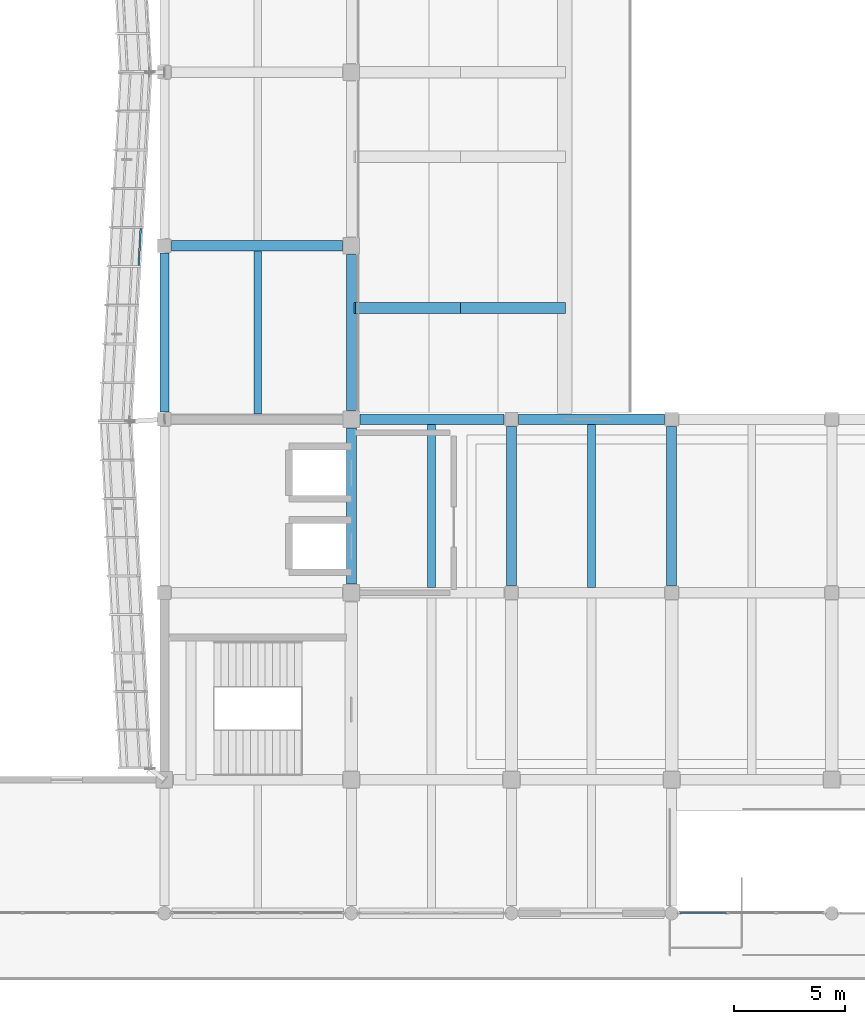
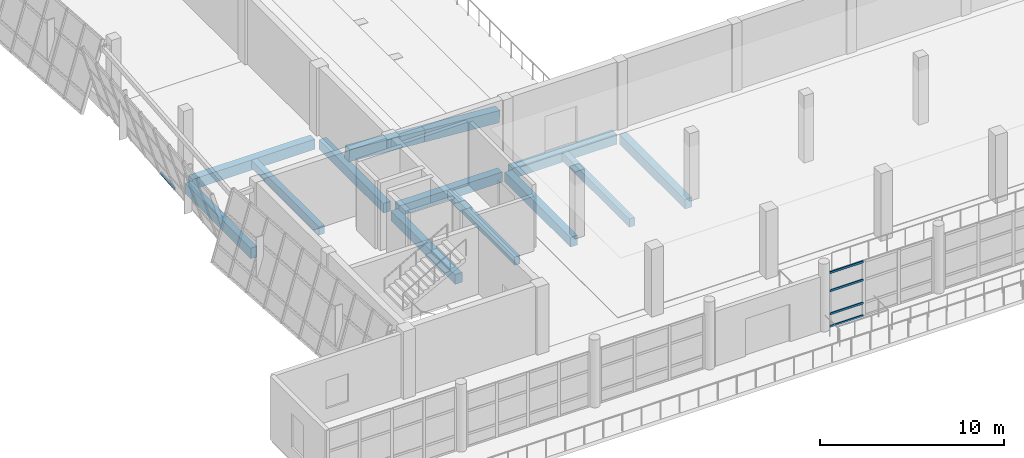
# One storey, part 8 of 71: 13 beams, 5 members, 2 elements without a shape of their own.
"""IFC4 building model written with IfcOpenShell, lengths in metres."""

from ifc_helpers import new_model, si_unit, direction, frame, origin, origin_2d, place, context, subcontext, project, spatial, rectangle, hollow_rectangle, extrude, material, material_profile, profile_set, type_object, element, aggregate, save


model = new_model("IFC4")

# Units and contexts
model_context = context("Model", 3, precision=1e-05, world=origin(), true_north=direction((0.0, 1.0)))
body_context = subcontext(model_context, "Body", "Model", "MODEL_VIEW")
ifc_project = project(units=[si_unit("LENGTHUNIT", "METRE"), si_unit("AREAUNIT", "SQUARE_METRE"), si_unit("VOLUMEUNIT", "CUBIC_METRE"), si_unit("PLANEANGLEUNIT", "RADIAN"), si_unit("MASSUNIT", "GRAM", prefix="KILO")], contexts=[model_context])

# Site, building, storey
site_placement = place(None, origin())
site = spatial("IfcSite", under=ifc_project, at=site_placement, CompositionType="ELEMENT")
building_placement = place(site_placement, origin())
building = spatial("IfcBuilding", under=site, at=building_placement, Name="Pellamere Symphony Hall", CompositionType="ELEMENT")
storey_placement = place(building_placement, frame((0.0, 0.0, 15.0)))
storey = spatial("IfcBuildingStorey", under=building, at=storey_placement, Name="L03", CompositionType="ELEMENT", Elevation=15.0)

# Curtain wall, member
ifc_material_1 = material(Name="Thermally Broken Anodised Aluminium 6063-T6 Curtain Wall", Category="aluminium")
curtain_wall_type_1 = type_object("IfcCurtainWallType", Name="Curtain Wall CW-01 (Tilted Faceted Crystal Low-Iron Curtain Wall)", PredefinedType="NOTDEFINED", material=ifc_material_1)
curtain_wall_1_placement = place(storey_placement, origin())
curtain_wall_1 = element("IfcCurtainWall", 1, at=curtain_wall_1_placement, inside=storey, type_object=curtain_wall_type_1, Name="Crystal Faceted Curtain Wall CW-CR17 (L03)", PredefinedType="NOTDEFINED")
ifc_material_2 = material(Name="Anodised Architectural Aluminium 6063-T6", Category="aluminium")
ifc_material_profile_1 = material_profile(ifc_material_2, hollow_rectangle(XDim=0.074951171875, YDim=0.179931640625, WallThickness=0.0048828125, at=origin_2d()), Name="ALU-T75X180X5")
ifc_profile_set_1 = profile_set([ifc_material_profile_1], Name="Anodised Architectural Aluminium 6063-T6")
member_type_1 = type_object("IfcMemberType", Name="Curtain Wall Transom TR-01 ALU-T75X180X5", PredefinedType="USERDEFINED", material=ifc_profile_set_1)
member_1_placement = place(storey_placement, frame((49.337158203125, 54.78466796875, 0.035888671875), z_axis=(-0.057232737422, -0.998360863499, 0.0), x_axis=(0.998360863499, -0.057232737422, 0.0)))
member_1 = element("IfcMember", 2, at=member_1_placement, type_object=member_type_1, Name="CW1-050 crystal transom 5.1", ObjectType="TRANSOM", PredefinedType="USERDEFINED", context=body_context, shape_type="SweptSolid", body=[
    extrude(hollow_rectangle(XDim=0.074951171875, YDim=0.179931640625, WallThickness=0.0048828125, at=origin_2d()), origin(), (0.0, 0.0, 1.0), 1.672119140625),
])
aggregate(curtain_wall_1, [member_1])

# Curtain wall, members
curtain_wall_type_2 = type_object("IfcCurtainWallType", Name="Curtain Wall CW-02 (Winter-Garden South Concourse Curtain Wall)", PredefinedType="NOTDEFINED", material=ifc_material_1)
curtain_wall_2_placement = place(storey_placement, origin())
curtain_wall_2 = element("IfcCurtainWall", 3, at=curtain_wall_2_placement, inside=storey, type_object=curtain_wall_type_2, Name="Winter-Garden South Curtain Wall (L03 Bay 5)", PredefinedType="NOTDEFINED")
ifc_material_profile_2 = material_profile(ifc_material_2, hollow_rectangle(XDim=0.06494140625, YDim=0.139892578125, WallThickness=0.00390625, at=origin_2d()), Name="ALU-T65X140X4")
ifc_profile_set_2 = profile_set([ifc_material_profile_2], Name="Anodised Architectural Aluminium 6063-T6")
member_type_2 = type_object("IfcMemberType", Name="Curtain Wall Transom TR-02 ALU-T65X140X4", PredefinedType="USERDEFINED", material=ifc_profile_set_2)
member_2_placement = place(storey_placement, frame((73.56494140625, 24.0, 0.032470703125), z_axis=(1.0, 0.0, 0.0), x_axis=(0.0, 1.0, 0.0)))
member_2 = element("IfcMember", 4, at=member_2_placement, type_object=member_type_2, Name="CW2-089 crystal transom 1.1", ObjectType="TRANSOM", PredefinedType="USERDEFINED", context=body_context, shape_type="SweptSolid", body=[
    extrude(hollow_rectangle(XDim=0.06494140625, YDim=0.139892578125, WallThickness=0.00390625, at=origin_2d()), origin(), (0.0, 0.0, 1.0), 2.1025390625),
])
member_3_placement = place(storey_placement, frame((73.56494140625, 24.0, 0.87353515625), z_axis=(1.0, 0.0, 0.0), x_axis=(0.0, 1.0, 0.0)))
member_3 = element("IfcMember", 5, at=member_3_placement, type_object=member_type_2, Name="CW2-089 crystal transom 1.2", ObjectType="TRANSOM", PredefinedType="USERDEFINED", context=body_context, shape_type="SweptSolid", body=[
    extrude(hollow_rectangle(XDim=0.06494140625, YDim=0.139892578125, WallThickness=0.00390625, at=origin_2d()), origin(), (0.0, 0.0, 1.0), 2.1025390625),
])
member_4_placement = place(storey_placement, frame((73.56494140625, 24.0, 2.40234375), z_axis=(1.0, 0.0, 0.0), x_axis=(0.0, 1.0, 0.0)))
member_4 = element("IfcMember", 6, at=member_4_placement, type_object=member_type_2, Name="CW2-089 crystal transom 1.3", ObjectType="TRANSOM", PredefinedType="USERDEFINED", context=body_context, shape_type="SweptSolid", body=[
    extrude(hollow_rectangle(XDim=0.06494140625, YDim=0.139892578125, WallThickness=0.00390625, at=origin_2d()), origin(), (0.0, 0.0, 1.0), 2.1025390625),
])
member_5_placement = place(storey_placement, frame((73.56494140625, 24.0, 3.607421875), z_axis=(1.0, 0.0, 0.0), x_axis=(0.0, 1.0, 0.0)))
member_5 = element("IfcMember", 7, at=member_5_placement, type_object=member_type_2, Name="CW2-089 crystal transom 1.4", ObjectType="TRANSOM", PredefinedType="USERDEFINED", context=body_context, shape_type="SweptSolid", body=[
    extrude(hollow_rectangle(XDim=0.06494140625, YDim=0.139892578125, WallThickness=0.00390625, at=origin_2d()), origin(), (0.0, 0.0, 1.0), 2.1025390625),
])
aggregate(curtain_wall_2, [member_2, member_3, member_4, member_5])

# Beams
ifc_material_3 = material(Name="Concrete 40 MPa", Category="concrete")
ifc_material_profile_3 = material_profile(ifc_material_3, rectangle(XDim=0.449951171875, YDim=0.64990234375, at=origin_2d()), Name="RC 450x650")
ifc_profile_set_3 = profile_set([ifc_material_profile_3], Name="Concrete 40 MPa")
beam_type_1 = type_object("IfcBeamType", Name="RC CB-08 450x650", PredefinedType="BEAM", material=ifc_profile_set_3)
for number, where, z_axis, x_axis, name in (
    (8, (58.800048828125, 38.800048828125, -0.5849609375), (0.0, 1.0, 0.0), (-1.0, 0.0, 0.0), "Girder CB-08-Y1614 (L03)"),
    (9, (58.800048828125, 46.60009765625, -0.5849609375), (0.0, 1.0, 0.0), (-1.0, 0.0, 0.0), "Girder CB-08-Y1615 (L03)"),
):
    element("IfcBeam", number, at=place(storey_placement, frame(where, z_axis=z_axis, x_axis=x_axis)), inside=storey, type_object=beam_type_1, Name=name, PredefinedType="BEAM", context=body_context, shape_type="SweptSolid", body=[
        extrude(rectangle(XDim=0.449951171875, YDim=0.64990234375, at=origin_2d()), origin(), (0.0, 0.0, 1.0), 7.0),
    ])
for number, where, z_axis, x_axis, name in (
    (10, (66.0, 38.72509765625, -0.5849609375), (0.0, 1.0, 0.0), (-1.0, 0.0, 0.0), "Girder CB-08-Y1623 (L03)"),
    (11, (73.199951171875, 38.72509765625, -0.5849609375), (0.0, 1.0, 0.0), (-1.0, 0.0, 0.0), "Girder CB-08-Y1628 (L03)"),
):
    element("IfcBeam", number, at=place(storey_placement, frame(where, z_axis=z_axis, x_axis=x_axis)), inside=storey, type_object=beam_type_1, Name=name, PredefinedType="BEAM", context=body_context, shape_type="SweptSolid", body=[
        extrude(rectangle(XDim=0.449951171875, YDim=0.64990234375, at=origin_2d()), origin(), (0.0, 0.0, 1.0), 7.14990234375),
    ])
ifc_material_4 = material(Name="Concrete 35 MPa", Category="concrete")
ifc_material_profile_4 = material_profile(ifc_material_4, rectangle(XDim=0.35009765625, YDim=0.550048828125, at=origin_2d()), Name="RC 350x550")
ifc_profile_set_4 = profile_set([ifc_material_profile_4], Name="Concrete 35 MPa")
beam_type_2 = type_object("IfcBeamType", Name="RC CB-10 350x550", PredefinedType="BEAM", material=ifc_profile_set_4)
for number, where, z_axis, x_axis, name in (
    (12, (54.60009765625, 46.43994140625, -0.550048828125), (0.0, 1.0, 0.0), (-1.0, 0.0, 0.0), "Secondary Floor Beam CB-10-M0606 (L03)"),
    (13, (62.39990234375, 38.639892578125, -0.550048828125), (0.0, 1.0, 0.0), (-1.0, 0.0, 0.0), "Secondary Floor Beam CB-10-M0705 (L03)"),
    (14, (69.60009765625, 38.639892578125, -0.550048828125), (0.0, 1.0, 0.0), (-1.0, 0.0, 0.0), "Secondary Floor Beam CB-10-M0805 (L03)"),
):
    element("IfcBeam", number, at=place(storey_placement, frame(where, z_axis=z_axis, x_axis=x_axis)), inside=storey, type_object=beam_type_2, Name=name, PredefinedType="BEAM", context=body_context, shape_type="SweptSolid", body=[
        extrude(rectangle(XDim=0.35009765625, YDim=0.550048828125, at=origin_2d()), origin(), (0.0, 0.0, 1.0), 7.320068359375),
    ])
ifc_material_profile_5 = material_profile(ifc_material_3, rectangle(XDim=0.39990234375, YDim=0.699951171875, at=origin_2d()), Name="RC 400x700")
ifc_profile_set_5 = profile_set([ifc_material_profile_5], Name="Concrete 40 MPa")
beam_type_3 = type_object("IfcBeamType", Name="RC CB-13 400x700", PredefinedType="SPANDREL", material=ifc_profile_set_5)
beam_1_placement = place(storey_placement, frame((50.39990234375, 46.52490234375, -0.610107421875), z_axis=(0.0, 1.0, 0.0), x_axis=(-1.0, 0.0, 0.0)))
element("IfcBeam", 15, at=beam_1_placement, inside=storey, type_object=beam_type_3, Name="Girder CB-13-Y1608 (L03)", PredefinedType="SPANDREL", context=body_context, shape_type="SweptSolid", body=[
    extrude(rectangle(XDim=0.39990234375, YDim=0.699951171875, at=origin_2d()), origin(), (0.0, 0.0, 1.0), 7.150146484375),
])
ifc_material_profile_6 = material_profile(ifc_material_3, rectangle(XDim=0.47998046875, YDim=0.679931640625, at=origin_2d()), Name="RC 480x680")
ifc_profile_set_6 = profile_set([ifc_material_profile_6], Name="Concrete 40 MPa")
beam_type_4 = type_object("IfcBeamType", Name="RC CB-19 480x680", PredefinedType="BEAM", material=ifc_profile_set_6)
beam_2_placement = place(storey_placement, frame((59.199951171875, 46.199951171875, -0.60009765625), z_axis=(1.0, 0.0, 0.0), x_axis=(0.0, 1.0, 0.0)))
element("IfcBeam", 16, at=beam_2_placement, inside=storey, type_object=beam_type_4, Name="Girder CB-19-X1537 (L03)", PredefinedType="BEAM", context=body_context, shape_type="SweptSolid", body=[
    extrude(rectangle(XDim=0.47998046875, YDim=0.679931640625, at=origin_2d()), origin(), (0.0, 0.0, 1.0), 6.47509765625),
])
beam_3_placement = place(storey_placement, frame((66.324951171875, 46.199951171875, -0.60009765625), z_axis=(1.0, 0.0, 0.0), x_axis=(0.0, 1.0, 0.0)))
element("IfcBeam", 17, at=beam_3_placement, inside=storey, type_object=beam_type_4, Name="Girder CB-19-X1538 (L03)", PredefinedType="BEAM", context=body_context, shape_type="SweptSolid", body=[
    extrude(rectangle(XDim=0.47998046875, YDim=0.679931640625, at=origin_2d()), origin(), (0.0, 0.0, 1.0), 6.550048828125),
])
beam_4_placement = place(storey_placement, frame((50.72509765625, 54.0, -0.60009765625), z_axis=(1.0, 0.0, 0.0), x_axis=(0.0, 1.0, 0.0)))
element("IfcBeam", 18, at=beam_4_placement, inside=storey, type_object=beam_type_4, Name="Girder CB-19-X1551 (L03)", PredefinedType="BEAM", context=body_context, shape_type="SweptSolid", body=[
    extrude(rectangle(XDim=0.47998046875, YDim=0.679931640625, at=origin_2d()), origin(), (0.0, 0.0, 1.0), 7.6748046875),
])
ifc_material_profile_7 = material_profile(ifc_material_3, rectangle(XDim=0.5, YDim=0.800048828125, at=origin_2d()), Name="RC 500x800")
ifc_profile_set_7 = profile_set([ifc_material_profile_7], Name="Concrete 40 MPa")
beam_type_5 = type_object("IfcBeamType", Name="RC RK-03 500x800", PredefinedType="BEAM", material=ifc_profile_set_7)
beam_5_placement = place(storey_placement, frame((68.39990234375, 51.199951171875, -0.56005859375), z_axis=(-0.997266066983, 0.0, 0.073894462877), x_axis=(0.0, -1.0, 0.0)))
element("IfcBeam", 19, at=beam_5_placement, inside=storey, type_object=beam_type_5, Name="Stand Choir and Acoustic Gallery Raker Beam RK-03-053", PredefinedType="BEAM", context=body_context, shape_type="SweptSolid", body=[
    extrude(rectangle(XDim=0.5, YDim=0.800048828125, at=origin_2d()), origin(), (0.0, 0.0, 1.0), 4.73779296875),
])
beam_6_placement = place(storey_placement, frame((63.675048828125, 51.199951171875, -0.2099609375), z_axis=(-0.99727014404, 0.0, 0.073839419056), x_axis=(0.0, -1.0, 0.0)))
element("IfcBeam", 20, at=beam_6_placement, inside=storey, type_object=beam_type_5, Name="Stand Choir and Acoustic Gallery Raker Beam RK-03-054", PredefinedType="BEAM", context=body_context, shape_type="SweptSolid", body=[
    extrude(rectangle(XDim=0.5, YDim=0.800048828125, at=origin_2d()), origin(), (0.0, 0.0, 1.0), 4.738037109375),
])

save(model, "model.ifc")
